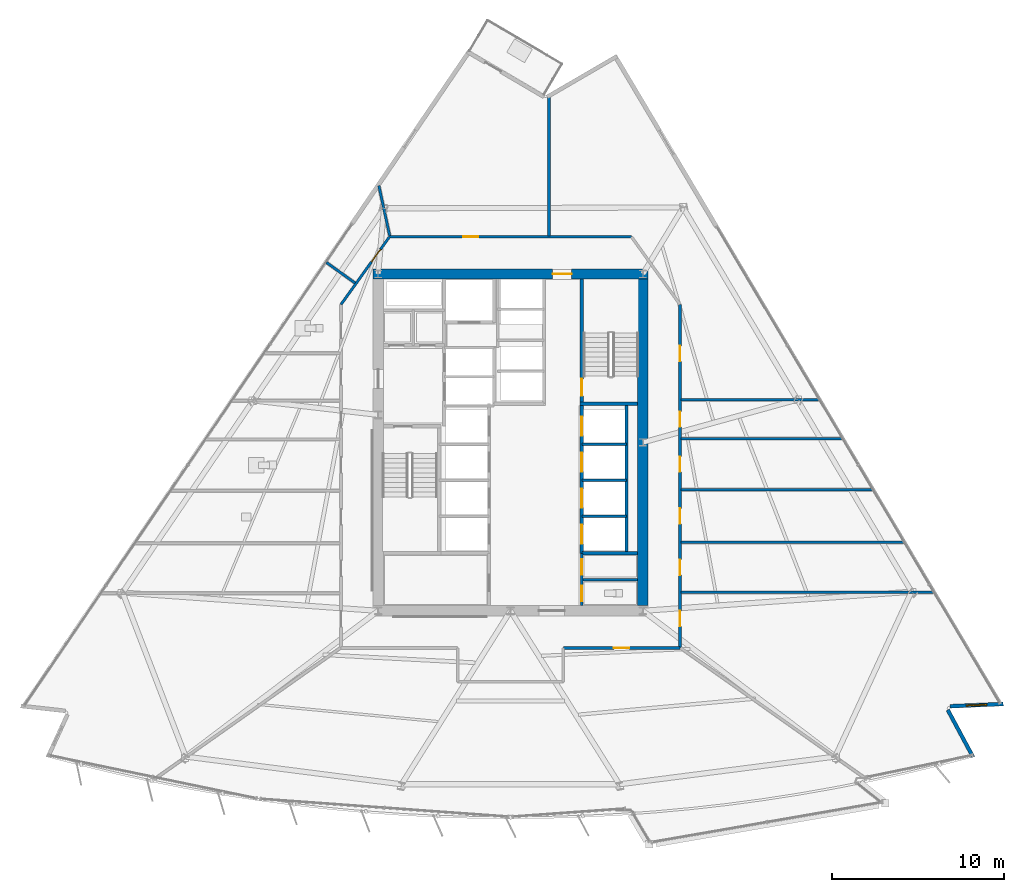
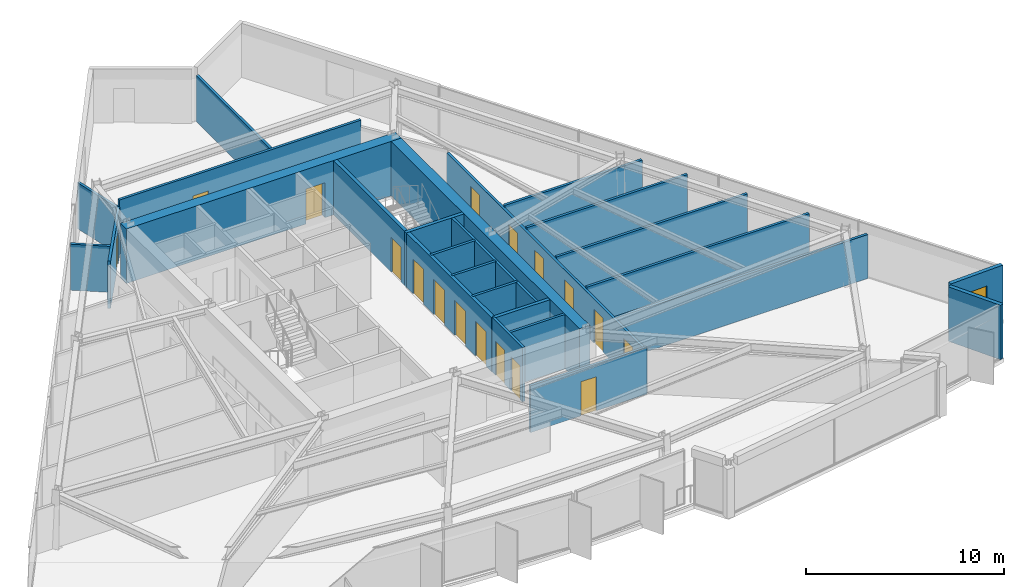
# One storey, part 9 of 15: 26 walls, 17 doors, 1 window, 18 openings.
"""IFC4 building model written with IfcOpenShell, lengths in metres."""

from ifc_helpers import new_model, si_unit, direction, frame, frame_2d, origin, place, context, subcontext, project, spatial, rectangle, extrude, material, layer, layer_set, type_object, element, fill, save


model = new_model("IFC4")

# Units and contexts
model_context = context("Model", 3, precision=1e-05, world=origin(), true_north=direction((0.0, 1.0)))
body_context = subcontext(model_context, "Body", "Model", "MODEL_VIEW")
ifc_project = project(units=[si_unit("LENGTHUNIT", "METRE"), si_unit("AREAUNIT", "SQUARE_METRE"), si_unit("VOLUMEUNIT", "CUBIC_METRE"), si_unit("PLANEANGLEUNIT", "RADIAN"), si_unit("MASSUNIT", "GRAM", prefix="KILO")], contexts=[model_context])

# Site, building, storey
site_placement = place(None, origin())
site = spatial("IfcSite", under=ifc_project, at=site_placement, CompositionType="ELEMENT")
building_placement = place(site_placement, origin())
building = spatial("IfcBuilding", under=site, at=building_placement, Name="Savorim Split Tower", CompositionType="ELEMENT")
storey_placement = place(building_placement, frame((0.0, 0.0, 96.89990234375)))
storey = spatial("IfcBuildingStorey", under=building, at=storey_placement, Name="L25", CompositionType="ELEMENT", Elevation=96.89990234375)

# Wall, opening, door
ifc_material_1 = material(Name="Concrete C60/75", Category="concrete")
ifc_layer_1 = layer(ifc_material_1, 0.60009765625)
ifc_layer_set_1 = layer_set([ifc_layer_1], Name="WAL-COR-SH600")
wall_type_1 = type_object("IfcWallType", Name="WAL-COR-SH600", PredefinedType="SHEAR", material=ifc_layer_set_1)
wall_1_placement = place(storey_placement, frame((8.0, 10.199951171875, 0.0), z_axis=(0.0, 0.0, 1.0), x_axis=(-1.0, 0.0, 0.0)))
wall_1 = element("IfcWall", 1, at=wall_1_placement, inside=storey, type_object=wall_type_1, Name="L25 Offset Core North Shear Wall", PredefinedType="SHEAR", context=body_context, shape_type="SweptSolid", body=[
    extrude(rectangle(XDim=16.0, YDim=0.60009765625, at=frame_2d((8.0, 0.0))), origin(), (0.0, 0.0, 1.0), 3.35009765625),
])
opening_1_placement = place(wall_1_placement, frame((4.449951171875, 0.0, 0.0)))
opening_1 = element("IfcOpeningElement", 2, at=opening_1_placement, cuts=wall_1, Name="Opening DI-03", PredefinedType="OPENING", context=body_context, shape_type="SweptSolid", body=[
    extrude(rectangle(XDim=1.10009765625, YDim=2.14990234375, at=frame_2d((0.550048828125, 1.074951171875))), frame((0.0, 0.31005859375, 0.0), z_axis=(0.0, -1.0, 0.0), x_axis=(1.0, 0.0, 0.0)), (0.0, 0.0, 1.0), 0.6201171875),
])
ifc_material_2 = material(Name="Timber Fire Door Leaf", Category="wood")
door_type_1 = type_object("IfcDoorType", Name="DOR-FIR-1100", OperationType="NOTDEFINED", PredefinedType="DOOR", material=ifc_material_2)
door_1_placement = place(opening_1_placement, origin())
door_1 = element("IfcDoor", 3, at=door_1_placement, inside=storey, type_object=door_type_1, Name="DOR-L25-COR-NLOB - L25 North Corridor Lobby Fire Door", OperationType="SINGLE_SWING_RIGHT", OverallHeight=2.14990234375, OverallWidth=1.10009765625, PredefinedType="DOOR", context=body_context, shape_type="SweptSolid", body=[
    extrude(rectangle(XDim=1.10009765625, YDim=2.14990234375, at=frame_2d((0.550048828125, 1.074951171875))), frame((0.0, 0.02490234375, 0.0), z_axis=(0.0, -1.0, 0.0), x_axis=(1.0, 0.0, 0.0)), (0.0, 0.0, 1.0), 0.050048828125),
])
fill(opening_1, door_1)

# Walls
wall_2_placement = place(storey_placement, frame((7.699951171875, 9.89990234375, 0.0), z_axis=(0.0, 0.0, 1.0), x_axis=(0.0, -1.0, 0.0)))
element("IfcWall", 4, at=wall_2_placement, inside=storey, type_object=wall_type_1, Name="L25 Offset Core East Shear Wall", PredefinedType="SHEAR", context=body_context, shape_type="SweptSolid", body=[
    extrude(rectangle(XDim=19.0, YDim=0.60009765625, at=frame_2d((9.5, 0.0))), origin(), (0.0, 0.0, 1.0), 3.35009765625),
])
ifc_material_3 = material(Name="Precast concrete C40/50", Category="concrete")
ifc_layer_2 = layer(ifc_material_3, 0.219970703125)
ifc_layer_set_2 = layer_set([ifc_layer_2], Name="WAL-EXT-CRN220")
wall_type_2 = type_object("IfcWallType", Name="WAL-EXT-CRN220", PredefinedType="SOLIDWALL", material=ifc_layer_set_2)
wall_3_placement = place(storey_placement, frame((25.44189453125, -15.164794921875, 0.0), z_axis=(0.0, 0.0, 1.0), x_axis=(0.472811757317, -0.881163459378, 0.0)))
element("IfcWall", 5, at=wall_3_placement, inside=storey, type_object=wall_type_2, Name="L25 Notched Corner Facade Wall SE1", PredefinedType="SOLIDWALL", context=body_context, shape_type="SweptSolid", body=[
    extrude(rectangle(XDim=3.109619140625, YDim=0.219970703125, at=frame_2d((1.5546875, 0.0))), origin(), (0.0, 0.0, 1.0), 3.35009765625),
])

# Wall, opening, window
wall_4_placement = place(storey_placement, frame((28.667236328125, -14.819091796875, 0.0), z_axis=(0.0, 0.0, 1.0), x_axis=(-0.99909228571, -0.042598176436, 0.0)))
wall_4 = element("IfcWall", 6, at=wall_4_placement, inside=storey, type_object=wall_type_2, Name="L25 Notched Corner Facade Wall SE", PredefinedType="SOLIDWALL", context=body_context, shape_type="SweptSolid", body=[
    extrude(rectangle(XDim=3.1064453125, YDim=0.219970703125, at=frame_2d((1.55322265625, 0.0))), origin(), (0.0, 0.0, 1.0), 3.35009765625),
])
opening_2_placement = place(wall_4_placement, frame((0.953125, 0.0, 0.6201171875)))
opening_2 = element("IfcOpeningElement", 7, at=opening_2_placement, cuts=wall_4, Name="Opening WN-08", PredefinedType="OPENING", context=body_context, shape_type="SweptSolid", body=[
    extrude(rectangle(XDim=1.199951171875, YDim=1.800048828125, at=frame_2d((0.60009765625, 0.89990234375))), frame((0.0, 0.119873046875, 0.0), z_axis=(0.0, -1.0, 0.0), x_axis=(1.0, 0.0, 0.0)), (0.0, 0.0, 1.0), 0.239990234375),
])
ifc_material_4 = material(Name="Low-E Operable Double Glazing", Category="glass")
window_type = type_object("IfcWindowType", Name="WIN-TWR-1200x1800", PartitioningType="SINGLE_PANEL", PredefinedType="WINDOW", material=ifc_material_4)
window_placement = place(opening_2_placement, origin())
window = element("IfcWindow", 8, at=window_placement, inside=storey, type_object=window_type, Name="L25 Operable Corner Window SE", OverallHeight=1.800048828125, OverallWidth=1.199951171875, PartitioningType="SINGLE_PANEL", PredefinedType="WINDOW", context=body_context, shape_type="SweptSolid", body=[
    extrude(rectangle(XDim=1.199951171875, YDim=1.800048828125, at=frame_2d((0.60009765625, 0.89990234375))), frame((0.0, 0.030029296875, 0.0), z_axis=(0.0, -1.0, 0.0), x_axis=(1.0, 0.0, 0.0)), (0.0, 0.0, 1.0), 0.06005859375),
])
fill(opening_2, window)

# Wall, opening, door
ifc_material_5 = material(Name="Concrete C50/60", Category="concrete")
ifc_layer_3 = layer(ifc_material_5, 0.199951171875)
ifc_layer_set_3 = layer_set([ifc_layer_3], Name="WAL-INT-RC200")
wall_type_3 = type_object("IfcWallType", Name="WAL-INT-RC200", PredefinedType="SOLIDWALL", material=ifc_layer_set_3)
wall_5_placement = place(storey_placement, frame((4.14990234375, 2.75, 0.0), z_axis=(0.0, 0.0, 1.0), x_axis=(0.0, 1.0, 0.0)))
wall_5 = element("IfcWall", 9, at=wall_5_placement, inside=storey, type_object=wall_type_3, Name="L25 Structural Shaft Wall W-L25-CR07", PredefinedType="SOLIDWALL", context=body_context, shape_type="SweptSolid", body=[
    extrude(rectangle(XDim=7.14990234375, YDim=0.199951171875, at=frame_2d((3.574951171875, 0.0))), origin(), (0.0, 0.0, 1.0), 3.35009765625),
])
opening_3_placement = place(wall_5_placement, frame((0.35009765625, 0.0, 0.0)))
opening_3 = element("IfcOpeningElement", 10, at=opening_3_placement, cuts=wall_5, Name="Opening DI-04", PredefinedType="OPENING", context=body_context, shape_type="SweptSolid", body=[
    extrude(rectangle(XDim=1.0, YDim=2.14990234375, at=frame_2d((0.5, 1.074951171875))), frame((0.0, 0.10986328125, 0.0), z_axis=(0.0, -1.0, 0.0), x_axis=(1.0, 0.0, 0.0)), (0.0, 0.0, 1.0), 0.219970703125),
])
door_type_2 = type_object("IfcDoorType", Name="DOR-FIR-1000", OperationType="NOTDEFINED", PredefinedType="DOOR", material=ifc_material_2)
door_2_placement = place(opening_3_placement, origin())
door_2 = element("IfcDoor", 11, at=door_2_placement, inside=storey, type_object=door_type_2, Name="DR-L25-ST2 - L25 Stair ST-2 Enclosure Door", OperationType="SINGLE_SWING_RIGHT", OverallHeight=2.14990234375, OverallWidth=1.0, PredefinedType="DOOR", context=body_context, shape_type="SweptSolid", body=[
    extrude(rectangle(XDim=1.0, YDim=2.14990234375, at=frame_2d((0.5, 1.074951171875))), frame((0.0, 0.02490234375, 0.0), z_axis=(0.0, -1.0, 0.0), x_axis=(1.0, 0.0, 0.0)), (0.0, 0.0, 1.0), 0.050048828125),
])
fill(opening_3, door_2)

# Wall
wall_6_placement = place(storey_placement, frame((4.050048828125, 2.64990234375, 0.0), z_axis=(0.0, 0.0, 1.0), x_axis=(1.0, 0.0, 0.0)))
element("IfcWall", 12, at=wall_6_placement, inside=storey, type_object=wall_type_3, Name="L25 Structural Shaft Wall W-L25-CR08", PredefinedType="SOLIDWALL", context=body_context, shape_type="SweptSolid", body=[
    extrude(rectangle(XDim=3.349853515625, YDim=0.199951171875, at=frame_2d((1.6748046875, 0.0))), origin(), (0.0, 0.0, 1.0), 3.35009765625),
])

# Wall, openings, doors
wall_7_placement = place(storey_placement, frame((4.14990234375, -6.050048828125, 0.0), z_axis=(0.0, 0.0, 1.0), x_axis=(0.0, 1.0, 0.0)))
wall_7 = element("IfcWall", 13, at=wall_7_placement, inside=storey, type_object=wall_type_3, Name="L25 Partition W-L25-B1FRONT", PredefinedType="SOLIDWALL", context=body_context, shape_type="SweptSolid", body=[
    extrude(rectangle(XDim=8.699951171875, YDim=0.199951171875, at=frame_2d((4.35009765625, 0.0))), origin(), (0.0, 0.0, 1.0), 3.35009765625),
])
opening_4_placement = place(wall_7_placement, frame((0.550048828125, 0.0, 0.0)))
opening_4 = element("IfcOpeningElement", 14, at=opening_4_placement, cuts=wall_7, Name="Opening LD-01", PredefinedType="OPENING", context=body_context, shape_type="SweptSolid", body=[
    extrude(rectangle(XDim=1.10009765625, YDim=2.14990234375, at=frame_2d((0.550048828125, 1.074951171875))), frame((0.0, 0.10986328125, 0.0), z_axis=(0.0, -1.0, 0.0), x_axis=(1.0, 0.0, 0.0)), (0.0, 0.0, 1.0), 0.219970703125),
])
opening_5_placement = place(wall_7_placement, frame((2.64990234375, 0.0, 0.0)))
opening_5 = element("IfcOpeningElement", 15, at=opening_5_placement, cuts=wall_7, Name="Opening LD-01", PredefinedType="OPENING", context=body_context, shape_type="SweptSolid", body=[
    extrude(rectangle(XDim=1.10009765625, YDim=2.14990234375, at=frame_2d((0.550048828125, 1.074951171875))), frame((0.0, 0.10986328125, 0.0), z_axis=(0.0, -1.0, 0.0), x_axis=(1.0, 0.0, 0.0)), (0.0, 0.0, 1.0), 0.219970703125),
])
opening_6_placement = place(wall_7_placement, frame((4.75, 0.0, 0.0)))
opening_6 = element("IfcOpeningElement", 16, at=opening_6_placement, cuts=wall_7, Name="Opening LD-01", PredefinedType="OPENING", context=body_context, shape_type="SweptSolid", body=[
    extrude(rectangle(XDim=1.10009765625, YDim=2.14990234375, at=frame_2d((0.550048828125, 1.074951171875))), frame((0.0, 0.10986328125, 0.0), z_axis=(0.0, -1.0, 0.0), x_axis=(1.0, 0.0, 0.0)), (0.0, 0.0, 1.0), 0.219970703125),
])
opening_7_placement = place(wall_7_placement, frame((6.85009765625, 0.0, 0.0)))
opening_7 = element("IfcOpeningElement", 17, at=opening_7_placement, cuts=wall_7, Name="Opening LD-01", PredefinedType="OPENING", context=body_context, shape_type="SweptSolid", body=[
    extrude(rectangle(XDim=1.10009765625, YDim=2.14990234375, at=frame_2d((0.550048828125, 1.074951171875))), frame((0.0, 0.10986328125, 0.0), z_axis=(0.0, -1.0, 0.0), x_axis=(1.0, 0.0, 0.0)), (0.0, 0.0, 1.0), 0.219970703125),
])
ifc_material_6 = material(Name="Charcoal Anodised Aluminium", Category="aluminium")
door_type_3 = type_object("IfcDoorType", Name="DOR-SLD-LD1100", OperationType="NOTDEFINED", PredefinedType="DOOR", material=ifc_material_6)
door_3_placement = place(opening_4_placement, origin())
door_3 = element("IfcDoor", 18, at=door_3_placement, inside=storey, type_object=door_type_3, Name="DR-L25-LD-PLL1 - L25 Lift PL-L1 Sliding Landing Door", OperationType="DOUBLE_DOOR_SLIDING", OverallHeight=2.14990234375, OverallWidth=1.10009765625, PredefinedType="DOOR", context=body_context, shape_type="SweptSolid", body=[
    extrude(rectangle(XDim=1.10009765625, YDim=2.14990234375, at=frame_2d((0.550048828125, 1.074951171875))), frame((0.0, 0.02490234375, 0.0), z_axis=(0.0, -1.0, 0.0), x_axis=(1.0, 0.0, 0.0)), (0.0, 0.0, 1.0), 0.050048828125),
])
fill(opening_4, door_3)
door_4_placement = place(opening_5_placement, origin())
door_4 = element("IfcDoor", 19, at=door_4_placement, inside=storey, type_object=door_type_3, Name="DR-L25-LD-PLL2 - L25 Lift PL-L2 Sliding Landing Door", OperationType="DOUBLE_DOOR_SLIDING", OverallHeight=2.14990234375, OverallWidth=1.10009765625, PredefinedType="DOOR", context=body_context, shape_type="SweptSolid", body=[
    extrude(rectangle(XDim=1.10009765625, YDim=2.14990234375, at=frame_2d((0.550048828125, 1.074951171875))), frame((0.0, 0.02490234375, 0.0), z_axis=(0.0, -1.0, 0.0), x_axis=(1.0, 0.0, 0.0)), (0.0, 0.0, 1.0), 0.050048828125),
])
fill(opening_5, door_4)
door_5_placement = place(opening_6_placement, origin())
door_5 = element("IfcDoor", 20, at=door_5_placement, inside=storey, type_object=door_type_3, Name="DR-L25-LD-PLL3 - L25 Lift PL-L3 Sliding Landing Door", OperationType="DOUBLE_DOOR_SLIDING", OverallHeight=2.14990234375, OverallWidth=1.10009765625, PredefinedType="DOOR", context=body_context, shape_type="SweptSolid", body=[
    extrude(rectangle(XDim=1.10009765625, YDim=2.14990234375, at=frame_2d((0.550048828125, 1.074951171875))), frame((0.0, 0.02490234375, 0.0), z_axis=(0.0, -1.0, 0.0), x_axis=(1.0, 0.0, 0.0)), (0.0, 0.0, 1.0), 0.050048828125),
])
fill(opening_6, door_5)
door_6_placement = place(opening_7_placement, origin())
door_6 = element("IfcDoor", 21, at=door_6_placement, inside=storey, type_object=door_type_3, Name="DR-L25-LD-PLL4 - L25 Lift PL-L4 Sliding Landing Door", OperationType="DOUBLE_DOOR_SLIDING", OverallHeight=2.14990234375, OverallWidth=1.10009765625, PredefinedType="DOOR", context=body_context, shape_type="SweptSolid", body=[
    extrude(rectangle(XDim=1.10009765625, YDim=2.14990234375, at=frame_2d((0.550048828125, 1.074951171875))), frame((0.0, 0.02490234375, 0.0), z_axis=(0.0, -1.0, 0.0), x_axis=(1.0, 0.0, 0.0)), (0.0, 0.0, 1.0), 0.050048828125),
])
fill(opening_7, door_6)

# Walls
wall_8_placement = place(storey_placement, frame((4.14990234375, -6.050048828125, 0.0), z_axis=(0.0, 0.0, 1.0), x_axis=(1.0, 0.0, 0.0)))
element("IfcWall", 22, at=wall_8_placement, inside=storey, type_object=wall_type_3, Name="L25 Partition W-L25-KSEP-E", PredefinedType="SOLIDWALL", context=body_context, shape_type="SweptSolid", body=[
    extrude(rectangle(XDim=3.2451171875, YDim=0.199951171875, at=frame_2d((1.62255859375, 0.0))), origin(), (0.0, 0.0, 1.0), 3.35009765625),
])
ifc_material_7 = material(Name="Acoustic Gypsum Partition Board")
ifc_layer_4 = layer(ifc_material_7, 0.14990234375)
ifc_layer_set_4 = layer_set([ifc_layer_4], Name="WAL-PAR-150")
wall_type_4 = type_object("IfcWallType", Name="WAL-PAR-150", PredefinedType="PARTITIONING", material=ifc_layer_set_4)
wall_9_placement = place(storey_placement, frame((6.75, -6.050048828125, 0.0), z_axis=(0.0, 0.0, 1.0), x_axis=(0.0, 1.0, 0.0)))
element("IfcWall", 23, at=wall_9_placement, inside=storey, type_object=wall_type_4, Name="L25 Partition W-L25-B1BACK", PredefinedType="PARTITIONING", context=body_context, shape_type="SweptSolid", body=[
    extrude(rectangle(XDim=8.699951171875, YDim=0.14990234375, at=frame_2d((4.35009765625, 0.0))), origin(), (0.0, 0.0, 1.0), 3.35009765625),
])
for number, where, z_axis, x_axis, name in (
    (24, (4.14990234375, -3.89990234375, 0.0), (0.0, 0.0, 1.0), (1.0, 0.0, 0.0), "L25 Partition W-L25-B1DIV1"),
    (25, (4.14990234375, -1.800048828125, 0.0), (0.0, 0.0, 1.0), (1.0, 0.0, 0.0), "L25 Partition W-L25-B1DIV2"),
    (26, (4.14990234375, 0.300048828125, 0.0), (0.0, 0.0, 1.0), (1.0, 0.0, 0.0), "L25 Partition W-L25-B1DIV3"),
):
    element("IfcWall", number, at=place(storey_placement, frame(where, z_axis=z_axis, x_axis=x_axis)), inside=storey, type_object=wall_type_4, Name=name, PredefinedType="PARTITIONING", context=body_context, shape_type="SweptSolid", body=[
        extrude(rectangle(XDim=2.60009765625, YDim=0.14990234375, at=frame_2d((1.300048828125, 0.0))), origin(), (0.0, 0.0, 1.0), 3.35009765625),
    ])

# Wall, openings, doors
wall_10_placement = place(storey_placement, frame((4.14990234375, -9.094970703125, 0.0), z_axis=(0.0, 0.0, 1.0), x_axis=(0.0, 1.0, 0.0)))
wall_10 = element("IfcWall", 27, at=wall_10_placement, inside=storey, type_object=wall_type_4, Name="L25 Partition W-L25-KLOB-E", PredefinedType="PARTITIONING", context=body_context, shape_type="SweptSolid", body=[
    extrude(rectangle(XDim=3.044921875, YDim=0.14990234375, at=frame_2d((1.5224609375, 0.0))), origin(), (0.0, 0.0, 1.0), 3.35009765625),
])
opening_8_placement = place(wall_10_placement, frame((0.2451171875, 0.0, 0.0)))
opening_8 = element("IfcOpeningElement", 28, at=opening_8_placement, cuts=wall_10, Name="Opening DI-11", PredefinedType="OPENING", context=body_context, shape_type="SweptSolid", body=[
    extrude(rectangle(XDim=0.89990234375, YDim=2.10009765625, at=frame_2d((0.449951171875, 1.050048828125))), frame((0.0, 0.0849609375, 0.0), z_axis=(0.0, -1.0, 0.0), x_axis=(1.0, 0.0, 0.0)), (0.0, 0.0, 1.0), 0.169921875),
])
opening_9_placement = place(wall_10_placement, frame((1.794921875, 0.0, 0.0)))
opening_9 = element("IfcOpeningElement", 29, at=opening_9_placement, cuts=wall_10, Name="Opening DI-06", PredefinedType="OPENING", context=body_context, shape_type="SweptSolid", body=[
    extrude(rectangle(XDim=0.89990234375, YDim=2.10009765625, at=frame_2d((0.449951171875, 1.050048828125))), frame((0.0, 0.0849609375, 0.0), z_axis=(0.0, -1.0, 0.0), x_axis=(1.0, 0.0, 0.0)), (0.0, 0.0, 1.0), 0.169921875),
])
door_type_4 = type_object("IfcDoorType", Name="DOR-FIR-900", OperationType="NOTDEFINED", PredefinedType="DOOR", material=ifc_material_2)
door_7_placement = place(opening_9_placement, origin())
door_7 = element("IfcDoor", 30, at=door_7_placement, inside=storey, type_object=door_type_4, Name="DR-L25-K3LCK - L25 Cleaning Store Door", OperationType="SINGLE_SWING_LEFT", OverallHeight=2.10009765625, OverallWidth=0.89990234375, PredefinedType="DOOR", context=body_context, shape_type="SweptSolid", body=[
    extrude(rectangle(XDim=0.89990234375, YDim=2.10009765625, at=frame_2d((0.449951171875, 1.050048828125))), frame((0.0, 0.02490234375, 0.0), z_axis=(0.0, -1.0, 0.0), x_axis=(1.0, 0.0, 0.0)), (0.0, 0.0, 1.0), 0.050048828125),
])
fill(opening_9, door_7)
ifc_material_8 = material(Name="Oak Veneer Acoustic Door")
door_type_5 = type_object("IfcDoorType", Name="DOR-WC-900", OperationType="NOTDEFINED", PredefinedType="DOOR", material=ifc_material_8)
door_8_placement = place(opening_8_placement, origin())
door_8 = element("IfcDoor", 31, at=door_8_placement, inside=storey, type_object=door_type_5, Name="DR-L25-K3AWC - L25 Core Accessible WC Door", OperationType="SINGLE_SWING_RIGHT", OverallHeight=2.10009765625, OverallWidth=0.89990234375, PredefinedType="DOOR", context=body_context, shape_type="SweptSolid", body=[
    extrude(rectangle(XDim=0.89990234375, YDim=2.10009765625, at=frame_2d((0.449951171875, 1.050048828125))), frame((0.0, 0.02490234375, 0.0), z_axis=(0.0, -1.0, 0.0), x_axis=(1.0, 0.0, 0.0)), (0.0, 0.0, 1.0), 0.050048828125),
])
fill(opening_8, door_8)

# Wall
wall_11_placement = place(storey_placement, frame((4.14990234375, -7.580078125, 0.0), z_axis=(0.0, 0.0, 1.0), x_axis=(1.0, 0.0, 0.0)))
element("IfcWall", 32, at=wall_11_placement, inside=storey, type_object=wall_type_4, Name="L25 Partition W-L25-K3H", PredefinedType="PARTITIONING", context=body_context, shape_type="SweptSolid", body=[
    extrude(rectangle(XDim=3.2451171875, YDim=0.14990234375, at=frame_2d((1.62255859375, 0.0))), origin(), (0.0, 0.0, 1.0), 3.35009765625),
])

# Wall, opening, door
wall_12_placement = place(storey_placement, frame((-9.860107421875, 8.42578125, 0.0), z_axis=(0.0, 0.0, 1.0), x_axis=(0.582449511476, 0.812866881218, 0.0)))
wall_12 = element("IfcWall", 33, at=wall_12_placement, inside=storey, type_object=wall_type_4, Name="L25 Partition W-L25-COR-02", PredefinedType="PARTITIONING", context=body_context, shape_type="SweptSolid", body=[
    extrude(rectangle(XDim=4.840087890625, YDim=0.14990234375, at=frame_2d((2.419921875, 0.0))), origin(), (0.0, 0.0, 1.0), 2.925048828125),
])
opening_10_placement = place(wall_12_placement, frame((3.046142578125, 0.0, 0.0)))
opening_10 = element("IfcOpeningElement", 34, at=opening_10_placement, cuts=wall_12, Name="Opening DI-06", PredefinedType="OPENING", context=body_context, shape_type="SweptSolid", body=[
    extrude(rectangle(XDim=0.89990234375, YDim=2.10009765625, at=frame_2d((0.449951171875, 1.050048828125))), frame((0.0, 0.0849609375, 0.0), z_axis=(0.0, -1.0, 0.0), x_axis=(1.0, 0.0, 0.0)), (0.0, 0.0, 1.0), 0.169921875),
])
door_9_placement = place(opening_10_placement, origin())
door_9 = element("IfcDoor", 35, at=door_9_placement, inside=storey, type_object=door_type_4, Name="DR-L25-RM13 - L25 Quiet Study Room Entry Door", OperationType="SINGLE_SWING_RIGHT", OverallHeight=2.10009765625, OverallWidth=0.89990234375, PredefinedType="DOOR", context=body_context, shape_type="SweptSolid", body=[
    extrude(rectangle(XDim=0.89990234375, YDim=2.10009765625, at=frame_2d((0.449951171875, 1.050048828125))), frame((0.0, 0.02490234375, 0.0), z_axis=(0.0, -1.0, 0.0), x_axis=(1.0, 0.0, 0.0)), (0.0, 0.0, 1.0), 0.050048828125),
])
fill(opening_10, door_9)

wall_13_placement = place(storey_placement, frame((-7.041015625, 12.360107421875, 0.0), z_axis=(0.0, 0.0, 1.0), x_axis=(1.0, 0.0, 0.0)))
wall_13 = element("IfcWall", 36, at=wall_13_placement, inside=storey, type_object=wall_type_4, Name="L25 Partition W-L25-COR-03", PredefinedType="PARTITIONING", context=body_context, shape_type="SweptSolid", body=[
    extrude(rectangle(XDim=14.08203125, YDim=0.14990234375, at=frame_2d((7.041015625, 0.0))), origin(), (0.0, 0.0, 1.0), 3.35009765625),
])
opening_11_placement = place(wall_13_placement, frame((4.27978515625, 0.0, 0.0)))
opening_11 = element("IfcOpeningElement", 37, at=opening_11_placement, cuts=wall_13, Name="Opening DI-06", PredefinedType="OPENING", context=body_context, shape_type="SweptSolid", body=[
    extrude(rectangle(XDim=0.89990234375, YDim=2.10009765625, at=frame_2d((0.449951171875, 1.050048828125))), frame((0.0, 0.0849609375, 0.0), z_axis=(0.0, -1.0, 0.0), x_axis=(1.0, 0.0, 0.0)), (0.0, 0.0, 1.0), 0.169921875),
])
door_10_placement = place(opening_11_placement, origin())
door_10 = element("IfcDoor", 38, at=door_10_placement, inside=storey, type_object=door_type_4, Name="DR-L25-RM12 - L25 Co-Working Commons Entry Door", OperationType="SINGLE_SWING_LEFT", OverallHeight=2.10009765625, OverallWidth=0.89990234375, PredefinedType="DOOR", context=body_context, shape_type="SweptSolid", body=[
    extrude(rectangle(XDim=0.89990234375, YDim=2.10009765625, at=frame_2d((0.449951171875, 1.050048828125))), frame((0.0, 0.02490234375, 0.0), z_axis=(0.0, -1.0, 0.0), x_axis=(1.0, 0.0, 0.0)), (0.0, 0.0, 1.0), 0.050048828125),
])
fill(opening_11, door_10)

# Wall, openings, doors
wall_14_placement = place(storey_placement, frame((9.860107421875, 8.42578125, 0.0), z_axis=(0.0, 0.0, 1.0), x_axis=(0.0, -1.0, 0.0)))
wall_14 = element("IfcWall", 39, at=wall_14_placement, inside=storey, type_object=wall_type_4, Name="L25 Partition W-L25-COR-05", PredefinedType="PARTITIONING", context=body_context, shape_type="SweptSolid", body=[
    extrude(rectangle(XDim=19.98583984375, YDim=0.14990234375, at=frame_2d((9.992919921875, 0.0))), origin(), (0.0, 0.0, 1.0), 2.705078125),
])
opening_12_placement = place(wall_14_placement, frame((17.830322265625, 0.0, 0.0)))
opening_12 = element("IfcOpeningElement", 40, at=opening_12_placement, cuts=wall_14, Name="Opening DI-06", PredefinedType="OPENING", context=body_context, shape_type="SweptSolid", body=[
    extrude(rectangle(XDim=0.89990234375, YDim=2.10009765625, at=frame_2d((0.449951171875, 1.050048828125))), frame((0.0, 0.0849609375, 0.0), z_axis=(0.0, -1.0, 0.0), x_axis=(1.0, 0.0, 0.0)), (0.0, 0.0, 1.0), 0.169921875),
])
opening_13_placement = place(wall_14_placement, frame((14.849609375, 0.0, 0.0)))
opening_13 = element("IfcOpeningElement", 41, at=opening_13_placement, cuts=wall_14, Name="Opening DI-06", PredefinedType="OPENING", context=body_context, shape_type="SweptSolid", body=[
    extrude(rectangle(XDim=0.89990234375, YDim=2.10009765625, at=frame_2d((0.449951171875, 1.050048828125))), frame((0.0, 0.0849609375, 0.0), z_axis=(0.0, -1.0, 0.0), x_axis=(1.0, 0.0, 0.0)), (0.0, 0.0, 1.0), 0.169921875),
])
opening_14_placement = place(wall_14_placement, frame((11.866943359375, 0.0, 0.0)))
opening_14 = element("IfcOpeningElement", 42, at=opening_14_placement, cuts=wall_14, Name="Opening DI-06", PredefinedType="OPENING", context=body_context, shape_type="SweptSolid", body=[
    extrude(rectangle(XDim=0.89990234375, YDim=2.10009765625, at=frame_2d((0.449951171875, 1.050048828125))), frame((0.0, 0.0849609375, 0.0), z_axis=(0.0, -1.0, 0.0), x_axis=(1.0, 0.0, 0.0)), (0.0, 0.0, 1.0), 0.169921875),
])
opening_15_placement = place(wall_14_placement, frame((8.846435546875, 0.0, 0.0)))
opening_15 = element("IfcOpeningElement", 43, at=opening_15_placement, cuts=wall_14, Name="Opening DI-06", PredefinedType="OPENING", context=body_context, shape_type="SweptSolid", body=[
    extrude(rectangle(XDim=0.89990234375, YDim=2.10009765625, at=frame_2d((0.449951171875, 1.050048828125))), frame((0.0, 0.0849609375, 0.0), z_axis=(0.0, -1.0, 0.0), x_axis=(1.0, 0.0, 0.0)), (0.0, 0.0, 1.0), 0.169921875),
])
opening_16_placement = place(wall_14_placement, frame((6.229248046875, 0.0, 0.0)))
opening_16 = element("IfcOpeningElement", 44, at=opening_16_placement, cuts=wall_14, Name="Opening DI-06", PredefinedType="OPENING", context=body_context, shape_type="SweptSolid", body=[
    extrude(rectangle(XDim=0.89990234375, YDim=2.10009765625, at=frame_2d((0.449951171875, 1.050048828125))), frame((0.0, 0.0849609375, 0.0), z_axis=(0.0, -1.0, 0.0), x_axis=(1.0, 0.0, 0.0)), (0.0, 0.0, 1.0), 0.169921875),
])
opening_17_placement = place(wall_14_placement, frame((2.416015625, 0.0, 0.0)))
opening_17 = element("IfcOpeningElement", 45, at=opening_17_placement, cuts=wall_14, Name="Opening DI-06", PredefinedType="OPENING", context=body_context, shape_type="SweptSolid", body=[
    extrude(rectangle(XDim=0.89990234375, YDim=2.10009765625, at=frame_2d((0.449951171875, 1.050048828125))), frame((0.0, 0.0849609375, 0.0), z_axis=(0.0, -1.0, 0.0), x_axis=(1.0, 0.0, 0.0)), (0.0, 0.0, 1.0), 0.169921875),
])
door_11_placement = place(opening_12_placement, origin())
door_11 = element("IfcDoor", 46, at=door_11_placement, inside=storey, type_object=door_type_4, Name="DR-L25-RM06 - L25 Co-Working Commons Entry Door", OperationType="SINGLE_SWING_LEFT", OverallHeight=2.10009765625, OverallWidth=0.89990234375, PredefinedType="DOOR", context=body_context, shape_type="SweptSolid", body=[
    extrude(rectangle(XDim=0.89990234375, YDim=2.10009765625, at=frame_2d((0.449951171875, 1.050048828125))), frame((0.0, 0.02490234375, 0.0), z_axis=(0.0, -1.0, 0.0), x_axis=(1.0, 0.0, 0.0)), (0.0, 0.0, 1.0), 0.050048828125),
])
fill(opening_12, door_11)
door_12_placement = place(opening_13_placement, origin())
door_12 = element("IfcDoor", 47, at=door_12_placement, inside=storey, type_object=door_type_4, Name="DR-L25-RM07 - L25 Co-Working Commons Entry Door", OperationType="SINGLE_SWING_RIGHT", OverallHeight=2.10009765625, OverallWidth=0.89990234375, PredefinedType="DOOR", context=body_context, shape_type="SweptSolid", body=[
    extrude(rectangle(XDim=0.89990234375, YDim=2.10009765625, at=frame_2d((0.449951171875, 1.050048828125))), frame((0.0, 0.02490234375, 0.0), z_axis=(0.0, -1.0, 0.0), x_axis=(1.0, 0.0, 0.0)), (0.0, 0.0, 1.0), 0.050048828125),
])
fill(opening_13, door_12)
door_13_placement = place(opening_14_placement, origin())
door_13 = element("IfcDoor", 48, at=door_13_placement, inside=storey, type_object=door_type_4, Name="DR-L25-RM08 - L25 Co-Living Bedroom Entry Door", OperationType="SINGLE_SWING_LEFT", OverallHeight=2.10009765625, OverallWidth=0.89990234375, PredefinedType="DOOR", context=body_context, shape_type="SweptSolid", body=[
    extrude(rectangle(XDim=0.89990234375, YDim=2.10009765625, at=frame_2d((0.449951171875, 1.050048828125))), frame((0.0, 0.02490234375, 0.0), z_axis=(0.0, -1.0, 0.0), x_axis=(1.0, 0.0, 0.0)), (0.0, 0.0, 1.0), 0.050048828125),
])
fill(opening_14, door_13)
door_14_placement = place(opening_15_placement, origin())
door_14 = element("IfcDoor", 49, at=door_14_placement, inside=storey, type_object=door_type_4, Name="DR-L25-RM09 - L25 Co-Working Commons Entry Door", OperationType="SINGLE_SWING_RIGHT", OverallHeight=2.10009765625, OverallWidth=0.89990234375, PredefinedType="DOOR", context=body_context, shape_type="SweptSolid", body=[
    extrude(rectangle(XDim=0.89990234375, YDim=2.10009765625, at=frame_2d((0.449951171875, 1.050048828125))), frame((0.0, 0.02490234375, 0.0), z_axis=(0.0, -1.0, 0.0), x_axis=(1.0, 0.0, 0.0)), (0.0, 0.0, 1.0), 0.050048828125),
])
fill(opening_15, door_14)
door_15_placement = place(opening_16_placement, origin())
door_15 = element("IfcDoor", 50, at=door_15_placement, inside=storey, type_object=door_type_4, Name="DR-L25-RM10 - L25 Co-Working Commons Entry Door", OperationType="SINGLE_SWING_LEFT", OverallHeight=2.10009765625, OverallWidth=0.89990234375, PredefinedType="DOOR", context=body_context, shape_type="SweptSolid", body=[
    extrude(rectangle(XDim=0.89990234375, YDim=2.10009765625, at=frame_2d((0.449951171875, 1.050048828125))), frame((0.0, 0.02490234375, 0.0), z_axis=(0.0, -1.0, 0.0), x_axis=(1.0, 0.0, 0.0)), (0.0, 0.0, 1.0), 0.050048828125),
])
fill(opening_16, door_15)
door_16_placement = place(opening_17_placement, origin())
door_16 = element("IfcDoor", 51, at=door_16_placement, inside=storey, type_object=door_type_4, Name="DR-L25-RM11 - L25 Co-Working Commons Entry Door", OperationType="SINGLE_SWING_RIGHT", OverallHeight=2.10009765625, OverallWidth=0.89990234375, PredefinedType="DOOR", context=body_context, shape_type="SweptSolid", body=[
    extrude(rectangle(XDim=0.89990234375, YDim=2.10009765625, at=frame_2d((0.449951171875, 1.050048828125))), frame((0.0, 0.02490234375, 0.0), z_axis=(0.0, -1.0, 0.0), x_axis=(1.0, 0.0, 0.0)), (0.0, 0.0, 1.0), 0.050048828125),
])
fill(opening_17, door_16)

# Wall, opening, door
wall_15_placement = place(storey_placement, frame((9.860107421875, -11.56005859375, 0.0), z_axis=(0.0, 0.0, 1.0), x_axis=(-1.0, 0.0, 0.0)))
wall_15 = element("IfcWall", 52, at=wall_15_placement, inside=storey, type_object=wall_type_4, Name="L25 Partition W-L25-COR-06", PredefinedType="PARTITIONING", context=body_context, shape_type="SweptSolid", body=[
    extrude(rectangle(XDim=6.780029296875, YDim=0.14990234375, at=frame_2d((3.39013671875, 0.0))), origin(), (0.0, 0.0, 1.0), 2.875),
])
opening_18_placement = place(wall_15_placement, frame((2.93994140625, 0.0, 0.0)))
opening_18 = element("IfcOpeningElement", 53, at=opening_18_placement, cuts=wall_15, Name="Opening DI-06", PredefinedType="OPENING", context=body_context, shape_type="SweptSolid", body=[
    extrude(rectangle(XDim=0.89990234375, YDim=2.10009765625, at=frame_2d((0.449951171875, 1.050048828125))), frame((0.0, 0.0849609375, 0.0), z_axis=(0.0, -1.0, 0.0), x_axis=(1.0, 0.0, 0.0)), (0.0, 0.0, 1.0), 0.169921875),
])
door_17_placement = place(opening_18_placement, origin())
door_17 = element("IfcDoor", 54, at=door_17_placement, inside=storey, type_object=door_type_4, Name="DR-L25-RM05 - L25 Co-Working Commons Entry Door", OperationType="SINGLE_SWING_RIGHT", OverallHeight=2.10009765625, OverallWidth=0.89990234375, PredefinedType="DOOR", context=body_context, shape_type="SweptSolid", body=[
    extrude(rectangle(XDim=0.89990234375, YDim=2.10009765625, at=frame_2d((0.449951171875, 1.050048828125))), frame((0.0, 0.02490234375, 0.0), z_axis=(0.0, -1.0, 0.0), x_axis=(1.0, 0.0, 0.0)), (0.0, 0.0, 1.0), 0.050048828125),
])
fill(opening_18, door_17)

# Walls
wall_16_placement = place(storey_placement, frame((9.919921875, -8.32763671875, 0.0), z_axis=(0.0, 0.0, 1.0), x_axis=(1.0, 0.0, 0.0)))
element("IfcWall", 55, at=wall_16_placement, inside=storey, type_object=wall_type_4, Name="L25 Partition W-L25-PRAD05", PredefinedType="PARTITIONING", context=body_context, shape_type="SweptSolid", body=[
    extrude(rectangle(XDim=14.664306640625, YDim=0.14990234375, at=frame_2d((7.33203125, 0.0))), origin(), (0.0, 0.0, 1.0), 2.705078125),
])
wall_17_placement = place(storey_placement, frame((9.919921875, 2.8720703125, 0.0), z_axis=(0.0, 0.0, 1.0), x_axis=(1.0, 0.0, 0.0)))
element("IfcWall", 56, at=wall_17_placement, inside=storey, type_object=wall_type_4, Name="L25 Partition W-L25-PRAD06", PredefinedType="PARTITIONING", context=body_context, shape_type="SweptSolid", body=[
    extrude(rectangle(XDim=8.0048828125, YDim=0.14990234375, at=frame_2d((4.00244140625, 0.0))), origin(), (0.0, 0.0, 1.0), 2.835205078125),
])
wall_18_placement = place(storey_placement, frame((-7.0263671875, 12.417236328125, 0.0), z_axis=(0.0, 0.0, 1.0), x_axis=(-0.211883427843, 0.977294946782, 0.0)))
element("IfcWall", 57, at=wall_18_placement, inside=storey, type_object=wall_type_4, Name="L25 Partition W-L25-PRAD08", PredefinedType="PARTITIONING", context=body_context, shape_type="SweptSolid", body=[
    extrude(rectangle(XDim=2.98779296875, YDim=0.14990234375, at=frame_2d((1.493896484375, 0.0))), origin(), (0.0, 0.0, 1.0), 2.835205078125),
])
wall_19_placement = place(storey_placement, frame((9.919921875, -2.3623046875, 0.0), z_axis=(0.0, 0.0, 1.0), x_axis=(1.0, 0.0, 0.0)))
element("IfcWall", 58, at=wall_19_placement, inside=storey, type_object=wall_type_4, Name="L25 Partition W-L25-SUB02", PredefinedType="PARTITIONING", context=body_context, shape_type="SweptSolid", body=[
    extrude(rectangle(XDim=11.1171875, YDim=0.14990234375, at=frame_2d((5.55859375, 0.0))), origin(), (0.0, 0.0, 1.0), 2.835205078125),
])
wall_20_placement = place(storey_placement, frame((-9.04052734375, 9.672607421875, 0.0), z_axis=(0.0, 0.0, 1.0), x_axis=(-0.812933955931, 0.582355890581, 0.0)))
element("IfcWall", 59, at=wall_20_placement, inside=storey, type_object=wall_type_4, Name="L25 Partition W-L25-SUB03", PredefinedType="PARTITIONING", context=body_context, shape_type="SweptSolid", body=[
    extrude(rectangle(XDim=2.044677734375, YDim=0.14990234375, at=frame_2d((1.0224609375, 0.0))), origin(), (0.0, 0.0, 1.0), 2.835205078125),
])
wall_21_placement = place(storey_placement, frame((9.919921875, -5.42041015625, 0.0), z_axis=(0.0, 0.0, 1.0), x_axis=(1.0, 0.0, 0.0)))
element("IfcWall", 60, at=wall_21_placement, inside=storey, type_object=wall_type_4, Name="L25 Partition W-L25-SUB06", PredefinedType="PARTITIONING", context=body_context, shape_type="SweptSolid", body=[
    extrude(rectangle(XDim=12.935546875, YDim=0.14990234375, at=frame_2d((6.4677734375, 0.0))), origin(), (0.0, 0.0, 1.0), 2.835205078125),
])
wall_22_placement = place(storey_placement, frame((9.919921875, 0.62060546875, 0.0), z_axis=(0.0, 0.0, 1.0), x_axis=(1.0, 0.0, 0.0)))
element("IfcWall", 61, at=wall_22_placement, inside=storey, type_object=wall_type_4, Name="L25 Partition W-L25-SUB07", PredefinedType="PARTITIONING", context=body_context, shape_type="SweptSolid", body=[
    extrude(rectangle(XDim=9.343505859375, YDim=0.14990234375, at=frame_2d((4.671875, 0.0))), origin(), (0.0, 0.0, 1.0), 2.835205078125),
])
wall_23_placement = place(storey_placement, frame((2.239990234375, 12.419921875, 0.0), z_axis=(0.0, 0.0, 1.0), x_axis=(0.0, 1.0, 0.0)))
element("IfcWall", 62, at=wall_23_placement, inside=storey, type_object=wall_type_4, Name="L25 Partition W-L25-SUB08", PredefinedType="PARTITIONING", context=body_context, shape_type="SweptSolid", body=[
    extrude(rectangle(XDim=8.08154296875, YDim=0.14990234375, at=frame_2d((4.040771484375, 0.0))), origin(), (0.0, 0.0, 1.0), 2.835205078125),
])

save(model, "model.ifc")
